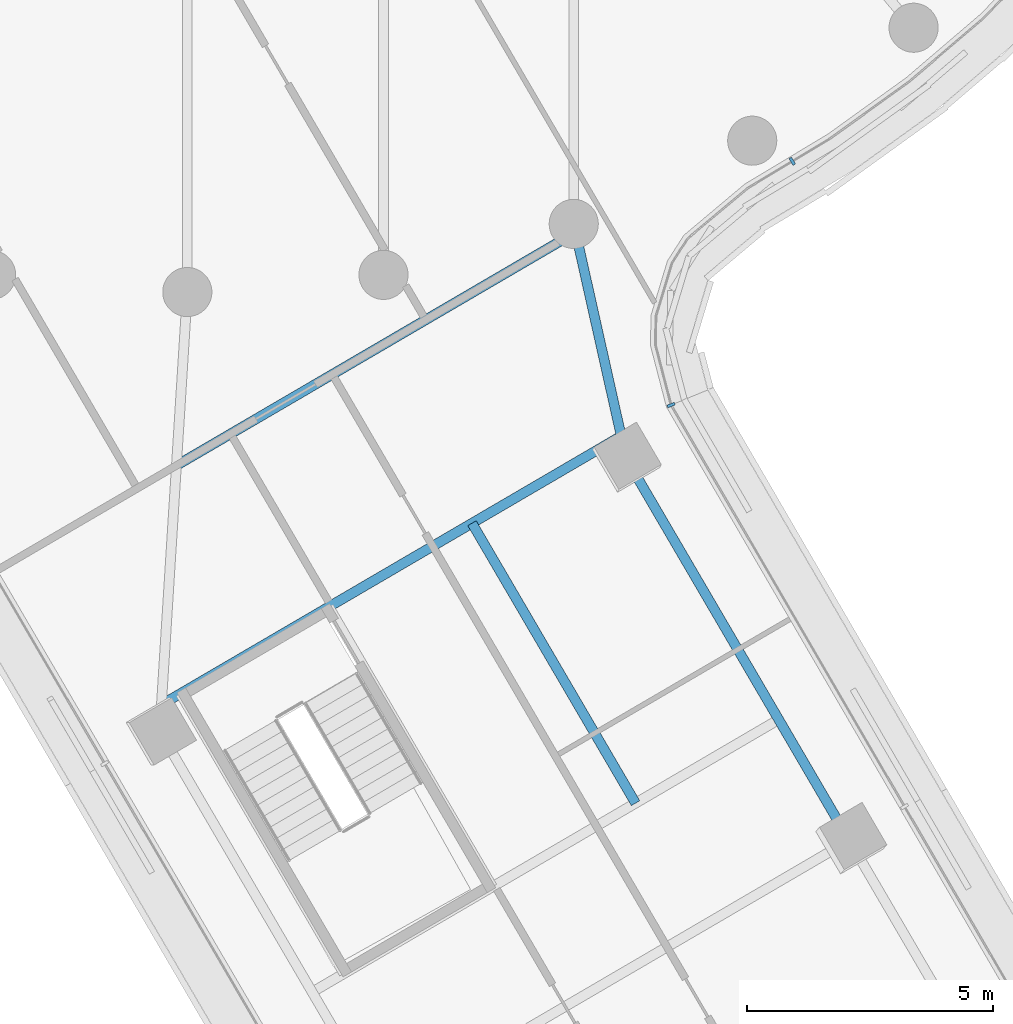
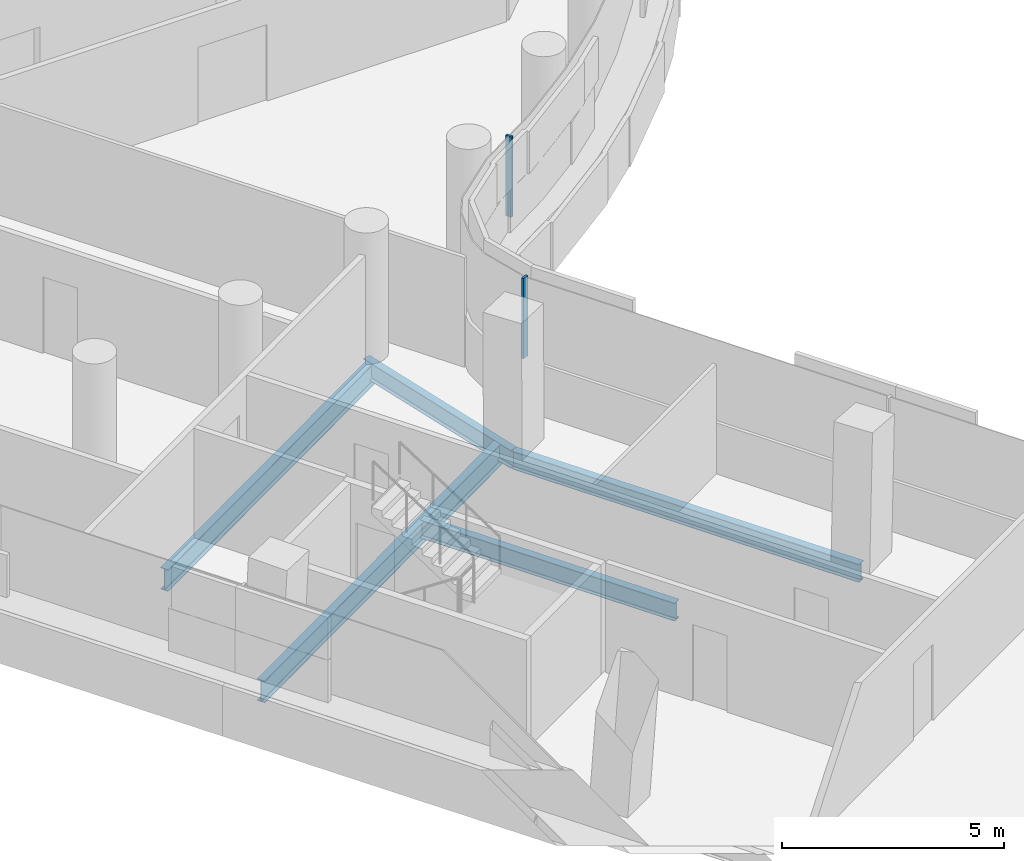
# One storey, part 6 of 35: 5 beams, 2 members, 1 element without a shape of its own.
"""IFC4 building model written with IfcOpenShell, lengths in metres."""

from ifc_helpers import new_model, si_unit, direction, frame, origin, origin_2d, place, context, subcontext, project, spatial, rectangle, i_section, extrude, material, layer, layer_set, material_profile, profile_set, type_object, element, aggregate, save


model = new_model("IFC4")

# Units and contexts
model_context = context("Model", 3, precision=1e-05, world=origin(), true_north=direction((0.0, 1.0)))
body_context = subcontext(model_context, "Body", "Model", "MODEL_VIEW")
ifc_project = project(units=[si_unit("LENGTHUNIT", "METRE"), si_unit("AREAUNIT", "SQUARE_METRE"), si_unit("VOLUMEUNIT", "CUBIC_METRE"), si_unit("PLANEANGLEUNIT", "RADIAN"), si_unit("MASSUNIT", "GRAM", prefix="KILO")], contexts=[model_context])

# Site, building, storey
site_placement = place(None, origin())
site = spatial("IfcSite", under=ifc_project, at=site_placement, CompositionType="ELEMENT")
building_placement = place(site_placement, origin())
building = spatial("IfcBuilding", under=site, at=building_placement, Name="Tamarind Cross Interchange Tower", CompositionType="ELEMENT")
storey_placement = place(building_placement, frame((0.0, 0.0, 144.25)))
storey = spatial("IfcBuildingStorey", under=building, at=storey_placement, Name="L35", CompositionType="ELEMENT", Elevation=144.25)

# Beams
ifc_material_1 = material(Name="Steel Q355B", Category="steel")
ifc_material_profile_1 = material_profile(ifc_material_1, i_section(OverallWidth=0.198974609375, OverallDepth=0.49609375, WebThickness=0.009033203125, FlangeThickness=0.013916015625, FilletRadius=0.012939453125, at=origin_2d()), Name="HN 496x199x9x14")
ifc_profile_set_1 = profile_set([ifc_material_profile_1], Name="Steel Q355B")
beam_type_1 = type_object("IfcBeamType", Name="Composite beam HN 496x199x9x14 Q355B", PredefinedType="BEAM", material=ifc_profile_set_1)
beam_1_placement = place(storey_placement, frame((13.476806640625, -34.162109375, -0.387939453125), z_axis=(-0.504500003492, 0.863411690028, 0.0), x_axis=(-0.863411690028, -0.504500003492, 0.0)))
element("IfcBeam", 1, at=beam_1_placement, inside=storey, type_object=beam_type_1, Name="Beam S-edgeep3", PredefinedType="BEAM", context=body_context, shape_type="SweptSolid", body=[
    extrude(i_section(OverallWidth=0.198974609375, OverallDepth=0.49609375, WebThickness=0.009033203125, FlangeThickness=0.013916015625, FilletRadius=0.012939453125, at=origin_2d()), origin(), (0.0, 0.0, 1.0), 9.0),
])
beam_2_placement = place(storey_placement, frame((8.936279296875, -26.391357421875, -0.387939453125), z_axis=(-0.218482265877, 0.975840919155, 0.0), x_axis=(-0.975840919155, -0.218482265877, 0.0)))
element("IfcBeam", 2, at=beam_2_placement, inside=storey, type_object=beam_type_1, Name="Beam S-linkep", PredefinedType="BEAM", context=body_context, shape_type="SweptSolid", body=[
    extrude(i_section(OverallWidth=0.198974609375, OverallDepth=0.49609375, WebThickness=0.009033203125, FlangeThickness=0.013916015625, FilletRadius=0.012939453125, at=origin_2d()), origin(), (0.0, 0.0, 1.0), 4.896728515625),
])
beam_3_placement = place(storey_placement, frame((5.795166015625, -27.70556640625, -0.387939453125), z_axis=(0.504517168894, -0.863401659884, 0.0), x_axis=(0.863401659884, 0.504517168894, 0.0)))
element("IfcBeam", 3, at=beam_3_placement, inside=storey, type_object=beam_type_1, Name="Beam S-stripp", PredefinedType="BEAM", context=body_context, shape_type="SweptSolid", body=[
    extrude(i_section(OverallWidth=0.198974609375, OverallDepth=0.49609375, WebThickness=0.009033203125, FlangeThickness=0.013916015625, FilletRadius=0.012939453125, at=origin_2d()), origin(), (0.0, 0.0, 1.0), 6.60009765625),
])
ifc_material_profile_2 = material_profile(ifc_material_1, i_section(OverallWidth=0.199951171875, OverallDepth=0.60009765625, WebThickness=0.010986328125, FlangeThickness=0.01708984375, FilletRadius=0.012939453125, at=origin_2d()), Name="HN 600x200x11x17")
ifc_profile_set_2 = profile_set([ifc_material_profile_2], Name="Steel Q355B")
beam_type_2 = type_object("IfcBeamType", Name="Composite beam HN 600x200x11x17 Q355B", PredefinedType="BEAM", material=ifc_profile_set_2)
beam_4_placement = place(storey_placement, frame((-0.52734375, -31.400146484375, -0.43994140625), z_axis=(0.863396404792, 0.504526162049, 0.0), x_axis=(-0.504526162049, 0.863396404792, 0.0)))
element("IfcBeam", 4, at=beam_4_placement, inside=storey, type_object=beam_type_2, Name="Beam S-x298", PredefinedType="BEAM", context=body_context, shape_type="SweptSolid", body=[
    extrude(i_section(OverallWidth=0.199951171875, OverallDepth=0.60009765625, WebThickness=0.010986328125, FlangeThickness=0.01708984375, FilletRadius=0.012939453125, at=origin_2d()), origin(), (0.0, 0.0, 1.0), 10.84130859375),
])
beam_5_placement = place(storey_placement, frame((-0.2216796875, -26.53076171875, -0.43994140625), z_axis=(0.863402321666, 0.504516036357, 0.0), x_axis=(-0.504516036357, 0.863402321666, 0.0)))
element("IfcBeam", 5, at=beam_5_placement, inside=storey, type_object=beam_type_2, Name="Beam S-x258", PredefinedType="BEAM", context=body_context, shape_type="SweptSolid", body=[
    extrude(i_section(OverallWidth=0.199951171875, OverallDepth=0.60009765625, WebThickness=0.010986328125, FlangeThickness=0.01708984375, FilletRadius=0.012939453125, at=origin_2d()), origin(), (0.0, 0.0, 1.0), 9.41162109375),
])

# Curtain wall, members
ifc_material_2 = material(Name="Aluminium 6063-T6", Category="aluminium")
ifc_layer = layer(ifc_material_2, 0.159912109375)
ifc_layer_set = layer_set([ifc_layer], Name="Aluminium 6063-T6")
curtain_wall_type = type_object("IfcCurtainWallType", Name="Office curtain wall, 9.0 m bays", PredefinedType="NOTDEFINED", material=ifc_layer_set)
curtain_wall_placement = place(storey_placement, origin())
curtain_wall = element("IfcCurtainWall", 6, at=curtain_wall_placement, inside=storey, type_object=curtain_wall_type, Name="CWS-L35-06", PredefinedType="NOTDEFINED")
ifc_material_profile_3 = material_profile(ifc_material_2, rectangle(XDim=0.06005859375, YDim=0.159912109375, at=origin_2d()), Name="Mullion CW1")
ifc_profile_set_3 = profile_set([ifc_material_profile_3], Name="Aluminium 6063-T6")
member_type = type_object("IfcMemberType", Name="Mullion CW1", PredefinedType="MULLION", material=ifc_profile_set_3)
member_1_placement = place(storey_placement, frame((9.84716796875, -25.300048828125, 1.39990234375), z_axis=(0.0, 0.0, 1.0), x_axis=(-0.380834688252, 0.924643142095, 0.0)))
member_1 = element("IfcMember", 7, at=member_1_placement, type_object=member_type, Name="CWM-L35-06-00", PredefinedType="MULLION", context=body_context, shape_type="SweptSolid", body=[
    extrude(rectangle(XDim=0.06005859375, YDim=0.159912109375, at=origin_2d()), origin(), (0.0, 0.0, 1.0), 2.210205078125),
])
member_2_placement = place(storey_placement, frame((12.315185546875, -20.33740234375, 1.39990234375), z_axis=(0.0, 0.0, 1.0), x_axis=(0.856828084362, 0.515602205046, 0.0)))
member_2 = element("IfcMember", 8, at=member_2_placement, type_object=member_type, Name="CWM-L35-06-01", PredefinedType="MULLION", context=body_context, shape_type="SweptSolid", body=[
    extrude(rectangle(XDim=0.06005859375, YDim=0.159912109375, at=origin_2d()), origin(), (0.0, 0.0, 1.0), 2.210205078125),
])
aggregate(curtain_wall, [member_1, member_2])

save(model, "model.ifc")
